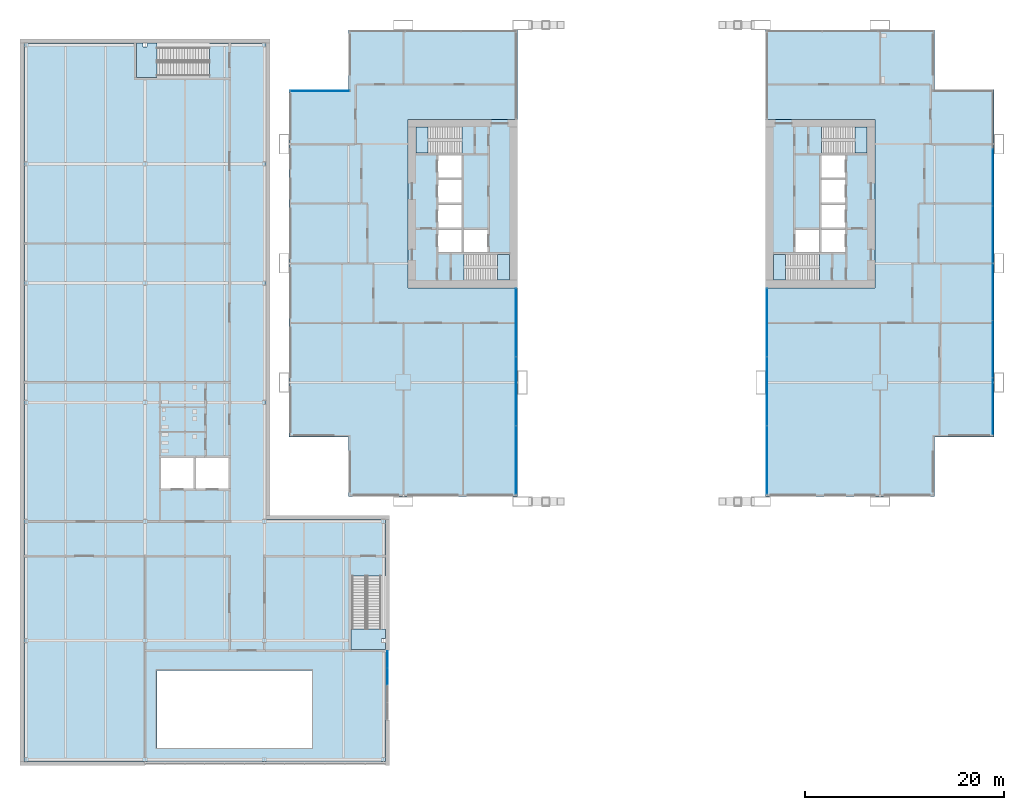
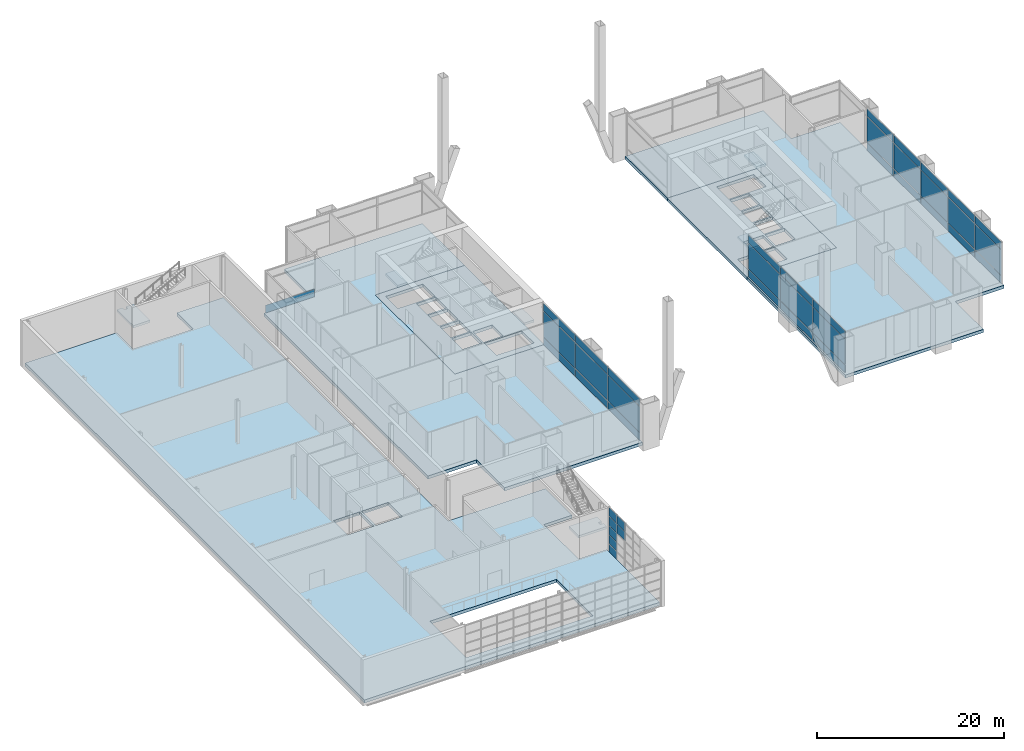
# One storey, part 19 of 30: 41 plates, 11 slabs, 11 elements without a shape of their own.
"""IFC4 building model written with IfcOpenShell, lengths in metres."""

from ifc_helpers import new_model, si_unit, direction, frame, origin, origin_2d, place, context, subcontext, project, spatial, polyline, rectangle, outline, extrude, material, layer, layer_set, type_object, element, aggregate, save


model = new_model("IFC4")

# Units and contexts
model_context = context("Model", 3, precision=1e-05, world=origin(), true_north=direction((0.0, 1.0)))
body_context = subcontext(model_context, "Body", "Model", "MODEL_VIEW")
ifc_project = project(units=[si_unit("LENGTHUNIT", "METRE"), si_unit("AREAUNIT", "SQUARE_METRE"), si_unit("VOLUMEUNIT", "CUBIC_METRE"), si_unit("PLANEANGLEUNIT", "RADIAN"), si_unit("MASSUNIT", "GRAM", prefix="KILO")], contexts=[model_context])

# Site, building, storey
site_placement = place(None, origin())
site = spatial("IfcSite", under=ifc_project, at=site_placement, CompositionType="ELEMENT")
building_placement = place(site_placement, origin())
building = spatial("IfcBuilding", under=site, at=building_placement, Name="Kitamizu Gate Tower and Museum", CompositionType="ELEMENT")
storey_placement = place(building_placement, frame((0.0, 0.0, 6.0)))
storey = spatial("IfcBuildingStorey", under=building, at=storey_placement, Name="L01", CompositionType="ELEMENT", Elevation=6.0)

# Slabs
ifc_material_1 = material(Name="Concrete Fc36", Category="concrete")
ifc_layer_1 = layer(ifc_material_1, 0.39990234375)
ifc_layer_set_1 = layer_set([ifc_layer_1], Name="Concrete Fc36")
slab_type_1 = type_object("IfcSlabType", Name="Core floor slab 400", PredefinedType="FLOOR", material=ifc_layer_set_1)
slab_1_placement = place(storey_placement, frame((0.0, 0.0, -0.39990234375)))
element("IfcSlab", 1, at=slab_1_placement, inside=storey, type_object=slab_type_1, Name="Core floor slab W", PredefinedType="FLOOR", context=body_context, shape_type="SweptSolid", body=[
    extrude(outline(polyline([(12.5, 21.5), (23.5, 21.5), (23.5, 38.5), (12.5, 38.5), (12.5, 21.5)]), holes=[polyline([(15.5, 25.10009765625), (17.89990234375, 25.10009765625), (17.89990234375, 27.39990234375), (15.5, 27.39990234375), (15.5, 25.10009765625)]), polyline([(15.5, 27.60009765625), (17.89990234375, 27.60009765625), (17.89990234375, 29.89990234375), (15.5, 29.89990234375), (15.5, 27.60009765625)]), polyline([(15.5, 30.10009765625), (17.89990234375, 30.10009765625), (17.89990234375, 32.39990234375), (15.5, 32.39990234375), (15.5, 30.10009765625)]), polyline([(15.5, 32.60009765625), (17.89990234375, 32.60009765625), (17.89990234375, 34.89990234375), (15.5, 34.89990234375), (15.5, 32.60009765625)]), polyline([(18.10009765625, 25.10009765625), (20.5, 25.10009765625), (20.5, 27.39990234375), (18.10009765625, 27.39990234375), (18.10009765625, 25.10009765625)]), polyline([(18.1005859375, 22.300048828125), (22.699951171875, 22.300048828125), (22.699951171875, 24.89990234375), (18.1005859375, 24.89990234375), (18.1005859375, 22.300048828125)]), polyline([(13.300048828125, 35.10009765625), (17.8994140625, 35.10009765625), (17.8994140625, 37.699951171875), (13.300048828125, 37.699951171875), (13.300048828125, 35.10009765625)])]), origin(), (0.0, 0.0, 1.0), 0.39990234375),
])
slab_2_placement = place(storey_placement, frame((0.0, 0.0, -0.39990234375)))
element("IfcSlab", 2, at=slab_2_placement, inside=storey, type_object=slab_type_1, Name="Core floor slab E", PredefinedType="FLOOR", context=body_context, shape_type="SweptSolid", body=[
    extrude(outline(polyline([(48.5, 21.5), (59.5, 21.5), (59.5, 38.5), (48.5, 38.5), (48.5, 21.5)]), holes=[polyline([(54.10009765625, 25.10009765625), (56.5, 25.10009765625), (56.5, 27.39990234375), (54.10009765625, 27.39990234375), (54.10009765625, 25.10009765625)]), polyline([(54.10009765625, 27.60009765625), (56.5, 27.60009765625), (56.5, 29.89990234375), (54.10009765625, 29.89990234375), (54.10009765625, 27.60009765625)]), polyline([(54.10009765625, 30.10009765625), (56.5, 30.10009765625), (56.5, 32.39990234375), (54.10009765625, 32.39990234375), (54.10009765625, 30.10009765625)]), polyline([(54.10009765625, 32.60009765625), (56.5, 32.60009765625), (56.5, 34.89990234375), (54.10009765625, 34.89990234375), (54.10009765625, 32.60009765625)]), polyline([(51.5, 25.10009765625), (53.89990234375, 25.10009765625), (53.89990234375, 27.39990234375), (51.5, 27.39990234375), (51.5, 25.10009765625)]), polyline([(49.300048828125, 22.300048828125), (53.8994140625, 22.300048828125), (53.8994140625, 24.89990234375), (49.300048828125, 24.89990234375), (49.300048828125, 22.300048828125)]), polyline([(54.1005859375, 35.10009765625), (58.699951171875, 35.10009765625), (58.699951171875, 37.699951171875), (54.1005859375, 37.699951171875), (54.1005859375, 35.10009765625)])]), origin(), (0.0, 0.0, 1.0), 0.39990234375),
])

# Curtain wall, plate
ifc_material_2 = material(Name="Bronze anodised aluminium frame, tinted triple glazing", Category="aluminium")
curtain_wall_type_1 = type_object("IfcCurtainWallType", Name="CURTAIN WALL TYPE E PODIUM PLAZA", PredefinedType="NOTDEFINED", material=ifc_material_2)
curtain_wall_1_placement = place(storey_placement, origin())
curtain_wall_1 = element("IfcCurtainWall", 3, at=curtain_wall_1_placement, inside=storey, type_object=curtain_wall_type_1, Name="Curtain wall CW-E north L01", PredefinedType="NOTDEFINED")
ifc_material_3 = material(Name="Tinted insulating glass", Category="glass")
ifc_layer_2 = layer(ifc_material_3, 0.033935546875)
ifc_layer_set_2 = layer_set([ifc_layer_2], Name="Tinted insulating glass")
plate_type_1 = type_object("IfcPlateType", Name="GLASS PANEL 34 TYPE E", PredefinedType="CURTAIN_PANEL", material=ifc_layer_set_2)
plate_1_placement = place(storey_placement, frame((3.635009765625, 41.364990234375, 0.06982421875), z_axis=(0.0, 0.0, 1.0), x_axis=(1.0, 0.0, 0.0)))
plate_1 = element("IfcPlate", 4, at=plate_1_placement, type_object=plate_type_1, Name="CW-E panel 1.1", PredefinedType="CURTAIN_PANEL", context=body_context, shape_type="SweptSolid", body=[
    extrude(rectangle(XDim=5.989990234375, YDim=0.033935546875, at=origin_2d()), origin(), (0.0, 0.0, 1.0), 0.9951171875),
])
aggregate(curtain_wall_1, [plate_1])

# Curtain wall, plates
ifc_material_4 = material(Name="Bronze anodised aluminium frame, tinted triple glazing", Category="aluminium")
curtain_wall_type_2 = type_object("IfcCurtainWallType", Name="CURTAIN WALL TYPE A PODIUM", PredefinedType="NOTDEFINED", material=ifc_material_4)
curtain_wall_2_placement = place(storey_placement, origin())
curtain_wall_2 = element("IfcCurtainWall", 5, at=curtain_wall_2_placement, inside=storey, type_object=curtain_wall_type_2, Name="Curtain wall CW-A east L01", PredefinedType="NOTDEFINED")
ifc_material_5 = material(Name="Tinted insulating glass", Category="glass")
ifc_layer_3 = layer(ifc_material_5, 0.035888671875)
ifc_layer_set_3 = layer_set([ifc_layer_3], Name="Tinted insulating glass")
plate_type_2 = type_object("IfcPlateType", Name="GLASS PANEL 36 TYPE A", PredefinedType="CURTAIN_PANEL", material=ifc_layer_set_3)
plate_2_placement = place(storey_placement, frame((23.364990234375, 4.197509765625, 0.080078125), z_axis=(0.0, 0.0, 1.0), x_axis=(0.0, 1.0, 0.0)))
plate_2 = element("IfcPlate", 6, at=plate_2_placement, type_object=plate_type_2, Name="CW-A panel 1.1", PredefinedType="CURTAIN_PANEL", context=body_context, shape_type="SweptSolid", body=[
    extrude(rectangle(XDim=6.794921875, YDim=0.035888671875, at=origin_2d()), origin(), (0.0, 0.0, 1.0), 0.97998046875),
])
plate_3_placement = place(storey_placement, frame((23.364990234375, 4.197509765625, 1.14013671875), z_axis=(0.0, 0.0, 1.0), x_axis=(0.0, 1.0, 0.0)))
plate_3 = element("IfcPlate", 7, at=plate_3_placement, type_object=plate_type_2, Name="CW-A panel 1.2", PredefinedType="CURTAIN_PANEL", context=body_context, shape_type="SweptSolid", body=[
    extrude(rectangle(XDim=6.794921875, YDim=0.035888671875, at=origin_2d()), origin(), (0.0, 0.0, 1.0), 3.320068359375),
])
plate_4_placement = place(storey_placement, frame((23.364990234375, 4.197509765625, 4.5400390625), z_axis=(0.0, 0.0, 1.0), x_axis=(0.0, 1.0, 0.0)))
plate_4 = element("IfcPlate", 8, at=plate_4_placement, type_object=plate_type_2, Name="CW-A panel 1.3", PredefinedType="CURTAIN_PANEL", context=body_context, shape_type="SweptSolid", body=[
    extrude(rectangle(XDim=6.794921875, YDim=0.035888671875, at=origin_2d()), origin(), (0.0, 0.0, 1.0), 0.97998046875),
])
plate_5_placement = place(storey_placement, frame((23.364990234375, 11.10498046875, 0.080078125), z_axis=(0.0, 0.0, 1.0), x_axis=(0.0, 1.0, 0.0)))
plate_5 = element("IfcPlate", 9, at=plate_5_placement, type_object=plate_type_2, Name="CW-A panel 2.1", PredefinedType="CURTAIN_PANEL", context=body_context, shape_type="SweptSolid", body=[
    extrude(rectangle(XDim=6.840087890625, YDim=0.035888671875, at=origin_2d()), origin(), (0.0, 0.0, 1.0), 0.97998046875),
])
plate_6_placement = place(storey_placement, frame((23.364990234375, 11.10498046875, 1.14013671875), z_axis=(0.0, 0.0, 1.0), x_axis=(0.0, 1.0, 0.0)))
plate_6 = element("IfcPlate", 10, at=plate_6_placement, type_object=plate_type_2, Name="CW-A panel 2.2", PredefinedType="CURTAIN_PANEL", context=body_context, shape_type="SweptSolid", body=[
    extrude(rectangle(XDim=6.840087890625, YDim=0.035888671875, at=origin_2d()), origin(), (0.0, 0.0, 1.0), 3.320068359375),
])
plate_7_placement = place(storey_placement, frame((23.364990234375, 11.10498046875, 4.5400390625), z_axis=(0.0, 0.0, 1.0), x_axis=(0.0, 1.0, 0.0)))
plate_7 = element("IfcPlate", 11, at=plate_7_placement, type_object=plate_type_2, Name="CW-A panel 2.3", PredefinedType="CURTAIN_PANEL", context=body_context, shape_type="SweptSolid", body=[
    extrude(rectangle(XDim=6.840087890625, YDim=0.035888671875, at=origin_2d()), origin(), (0.0, 0.0, 1.0), 0.97998046875),
])
plate_8_placement = place(storey_placement, frame((23.364990234375, 18.012451171875, 0.080078125), z_axis=(0.0, 0.0, 1.0), x_axis=(0.0, 1.0, 0.0)))
plate_8 = element("IfcPlate", 12, at=plate_8_placement, type_object=plate_type_2, Name="CW-A panel 3.1", PredefinedType="CURTAIN_PANEL", context=body_context, shape_type="SweptSolid", body=[
    extrude(rectangle(XDim=6.794921875, YDim=0.035888671875, at=origin_2d()), origin(), (0.0, 0.0, 1.0), 0.97998046875),
])
plate_9_placement = place(storey_placement, frame((23.364990234375, 18.012451171875, 1.14013671875), z_axis=(0.0, 0.0, 1.0), x_axis=(0.0, 1.0, 0.0)))
plate_9 = element("IfcPlate", 13, at=plate_9_placement, type_object=plate_type_2, Name="CW-A panel 3.2", PredefinedType="CURTAIN_PANEL", context=body_context, shape_type="SweptSolid", body=[
    extrude(rectangle(XDim=6.794921875, YDim=0.035888671875, at=origin_2d()), origin(), (0.0, 0.0, 1.0), 3.320068359375),
])
plate_10_placement = place(storey_placement, frame((23.364990234375, 18.012451171875, 4.5400390625), z_axis=(0.0, 0.0, 1.0), x_axis=(0.0, 1.0, 0.0)))
plate_10 = element("IfcPlate", 14, at=plate_10_placement, type_object=plate_type_2, Name="CW-A panel 3.3", PredefinedType="CURTAIN_PANEL", context=body_context, shape_type="SweptSolid", body=[
    extrude(rectangle(XDim=6.794921875, YDim=0.035888671875, at=origin_2d()), origin(), (0.0, 0.0, 1.0), 0.97998046875),
])
aggregate(curtain_wall_2, [plate_2, plate_3, plate_4, plate_5, plate_6, plate_7, plate_8, plate_9, plate_10])

curtain_wall_3_placement = place(storey_placement, origin())
curtain_wall_3 = element("IfcCurtainWall", 15, at=curtain_wall_3_placement, inside=storey, type_object=curtain_wall_type_2, Name="Curtain wall CW-A west L01", PredefinedType="NOTDEFINED")
plate_11_placement = place(storey_placement, frame((48.635009765625, 4.197509765625, 0.080078125), z_axis=(0.0, 0.0, 1.0), x_axis=(0.0, 1.0, 0.0)))
plate_11 = element("IfcPlate", 16, at=plate_11_placement, type_object=plate_type_2, Name="CW-A panel 1.1", PredefinedType="CURTAIN_PANEL", context=body_context, shape_type="SweptSolid", body=[
    extrude(rectangle(XDim=6.794921875, YDim=0.035888671875, at=origin_2d()), origin(), (0.0, 0.0, 1.0), 0.97998046875),
])
plate_12_placement = place(storey_placement, frame((48.635009765625, 4.197509765625, 1.14013671875), z_axis=(0.0, 0.0, 1.0), x_axis=(0.0, 1.0, 0.0)))
plate_12 = element("IfcPlate", 17, at=plate_12_placement, type_object=plate_type_2, Name="CW-A panel 1.2", PredefinedType="CURTAIN_PANEL", context=body_context, shape_type="SweptSolid", body=[
    extrude(rectangle(XDim=6.794921875, YDim=0.035888671875, at=origin_2d()), origin(), (0.0, 0.0, 1.0), 3.320068359375),
])
plate_13_placement = place(storey_placement, frame((48.635009765625, 4.197509765625, 4.5400390625), z_axis=(0.0, 0.0, 1.0), x_axis=(0.0, 1.0, 0.0)))
plate_13 = element("IfcPlate", 18, at=plate_13_placement, type_object=plate_type_2, Name="CW-A panel 1.3", PredefinedType="CURTAIN_PANEL", context=body_context, shape_type="SweptSolid", body=[
    extrude(rectangle(XDim=6.794921875, YDim=0.035888671875, at=origin_2d()), origin(), (0.0, 0.0, 1.0), 0.97998046875),
])
plate_14_placement = place(storey_placement, frame((48.635009765625, 11.10498046875, 0.080078125), z_axis=(0.0, 0.0, 1.0), x_axis=(0.0, 1.0, 0.0)))
plate_14 = element("IfcPlate", 19, at=plate_14_placement, type_object=plate_type_2, Name="CW-A panel 2.1", PredefinedType="CURTAIN_PANEL", context=body_context, shape_type="SweptSolid", body=[
    extrude(rectangle(XDim=6.840087890625, YDim=0.035888671875, at=origin_2d()), origin(), (0.0, 0.0, 1.0), 0.97998046875),
])
plate_15_placement = place(storey_placement, frame((48.635009765625, 11.10498046875, 1.14013671875), z_axis=(0.0, 0.0, 1.0), x_axis=(0.0, 1.0, 0.0)))
plate_15 = element("IfcPlate", 20, at=plate_15_placement, type_object=plate_type_2, Name="CW-A panel 2.2", PredefinedType="CURTAIN_PANEL", context=body_context, shape_type="SweptSolid", body=[
    extrude(rectangle(XDim=6.840087890625, YDim=0.035888671875, at=origin_2d()), origin(), (0.0, 0.0, 1.0), 3.320068359375),
])
plate_16_placement = place(storey_placement, frame((48.635009765625, 11.10498046875, 4.5400390625), z_axis=(0.0, 0.0, 1.0), x_axis=(0.0, 1.0, 0.0)))
plate_16 = element("IfcPlate", 21, at=plate_16_placement, type_object=plate_type_2, Name="CW-A panel 2.3", PredefinedType="CURTAIN_PANEL", context=body_context, shape_type="SweptSolid", body=[
    extrude(rectangle(XDim=6.840087890625, YDim=0.035888671875, at=origin_2d()), origin(), (0.0, 0.0, 1.0), 0.97998046875),
])
plate_17_placement = place(storey_placement, frame((48.635009765625, 18.012451171875, 0.080078125), z_axis=(0.0, 0.0, 1.0), x_axis=(0.0, 1.0, 0.0)))
plate_17 = element("IfcPlate", 22, at=plate_17_placement, type_object=plate_type_2, Name="CW-A panel 3.1", PredefinedType="CURTAIN_PANEL", context=body_context, shape_type="SweptSolid", body=[
    extrude(rectangle(XDim=6.794921875, YDim=0.035888671875, at=origin_2d()), origin(), (0.0, 0.0, 1.0), 0.97998046875),
])
plate_18_placement = place(storey_placement, frame((48.635009765625, 18.012451171875, 1.14013671875), z_axis=(0.0, 0.0, 1.0), x_axis=(0.0, 1.0, 0.0)))
plate_18 = element("IfcPlate", 23, at=plate_18_placement, type_object=plate_type_2, Name="CW-A panel 3.2", PredefinedType="CURTAIN_PANEL", context=body_context, shape_type="SweptSolid", body=[
    extrude(rectangle(XDim=6.794921875, YDim=0.035888671875, at=origin_2d()), origin(), (0.0, 0.0, 1.0), 3.320068359375),
])
plate_19_placement = place(storey_placement, frame((48.635009765625, 18.012451171875, 4.5400390625), z_axis=(0.0, 0.0, 1.0), x_axis=(0.0, 1.0, 0.0)))
plate_19 = element("IfcPlate", 24, at=plate_19_placement, type_object=plate_type_2, Name="CW-A panel 3.3", PredefinedType="CURTAIN_PANEL", context=body_context, shape_type="SweptSolid", body=[
    extrude(rectangle(XDim=6.794921875, YDim=0.035888671875, at=origin_2d()), origin(), (0.0, 0.0, 1.0), 0.97998046875),
])
aggregate(curtain_wall_3, [plate_11, plate_12, plate_13, plate_14, plate_15, plate_16, plate_17, plate_18, plate_19])

curtain_wall_4_placement = place(storey_placement, origin())
curtain_wall_4 = element("IfcCurtainWall", 25, at=curtain_wall_4_placement, inside=storey, type_object=curtain_wall_type_2, Name="Curtain wall CW-A east L01", PredefinedType="NOTDEFINED")
plate_20_placement = place(storey_placement, frame((71.364990234375, 9.6142578125, 0.080078125), z_axis=(0.0, 0.0, 1.0), x_axis=(0.0, 1.0, 0.0)))
plate_20 = element("IfcPlate", 26, at=plate_20_placement, type_object=plate_type_2, Name="CW-A panel 1.1", PredefinedType="CURTAIN_PANEL", context=body_context, shape_type="SweptSolid", body=[
    extrude(rectangle(XDim=5.62841796875, YDim=0.035888671875, at=origin_2d()), origin(), (0.0, 0.0, 1.0), 0.97998046875),
])
plate_21_placement = place(storey_placement, frame((71.364990234375, 9.6142578125, 1.14013671875), z_axis=(0.0, 0.0, 1.0), x_axis=(0.0, 1.0, 0.0)))
plate_21 = element("IfcPlate", 27, at=plate_21_placement, type_object=plate_type_2, Name="CW-A panel 1.2", PredefinedType="CURTAIN_PANEL", context=body_context, shape_type="SweptSolid", body=[
    extrude(rectangle(XDim=5.62841796875, YDim=0.035888671875, at=origin_2d()), origin(), (0.0, 0.0, 1.0), 3.320068359375),
])
plate_22_placement = place(storey_placement, frame((71.364990234375, 9.6142578125, 4.5400390625), z_axis=(0.0, 0.0, 1.0), x_axis=(0.0, 1.0, 0.0)))
plate_22 = element("IfcPlate", 28, at=plate_22_placement, type_object=plate_type_2, Name="CW-A panel 1.3", PredefinedType="CURTAIN_PANEL", context=body_context, shape_type="SweptSolid", body=[
    extrude(rectangle(XDim=5.62841796875, YDim=0.035888671875, at=origin_2d()), origin(), (0.0, 0.0, 1.0), 0.97998046875),
])
plate_23_placement = place(storey_placement, frame((71.364990234375, 15.35498046875, 0.080078125), z_axis=(0.0, 0.0, 1.0), x_axis=(0.0, 1.0, 0.0)))
plate_23 = element("IfcPlate", 29, at=plate_23_placement, type_object=plate_type_2, Name="CW-A panel 2.1", PredefinedType="CURTAIN_PANEL", context=body_context, shape_type="SweptSolid", body=[
    extrude(rectangle(XDim=5.67333984375, YDim=0.035888671875, at=origin_2d()), origin(), (0.0, 0.0, 1.0), 0.97998046875),
])
plate_24_placement = place(storey_placement, frame((71.364990234375, 15.35498046875, 1.14013671875), z_axis=(0.0, 0.0, 1.0), x_axis=(0.0, 1.0, 0.0)))
plate_24 = element("IfcPlate", 30, at=plate_24_placement, type_object=plate_type_2, Name="CW-A panel 2.2", PredefinedType="CURTAIN_PANEL", context=body_context, shape_type="SweptSolid", body=[
    extrude(rectangle(XDim=5.67333984375, YDim=0.035888671875, at=origin_2d()), origin(), (0.0, 0.0, 1.0), 3.320068359375),
])
plate_25_placement = place(storey_placement, frame((71.364990234375, 15.35498046875, 4.5400390625), z_axis=(0.0, 0.0, 1.0), x_axis=(0.0, 1.0, 0.0)))
plate_25 = element("IfcPlate", 31, at=plate_25_placement, type_object=plate_type_2, Name="CW-A panel 2.3", PredefinedType="CURTAIN_PANEL", context=body_context, shape_type="SweptSolid", body=[
    extrude(rectangle(XDim=5.67333984375, YDim=0.035888671875, at=origin_2d()), origin(), (0.0, 0.0, 1.0), 0.97998046875),
])
plate_26_placement = place(storey_placement, frame((71.364990234375, 21.118408203125, 0.080078125), z_axis=(0.0, 0.0, 1.0), x_axis=(0.0, 1.0, 0.0)))
plate_26 = element("IfcPlate", 32, at=plate_26_placement, type_object=plate_type_2, Name="CW-A panel 3.1", PredefinedType="CURTAIN_PANEL", context=body_context, shape_type="SweptSolid", body=[
    extrude(rectangle(XDim=5.67333984375, YDim=0.035888671875, at=origin_2d()), origin(), (0.0, 0.0, 1.0), 0.97998046875),
])
plate_27_placement = place(storey_placement, frame((71.364990234375, 21.118408203125, 1.14013671875), z_axis=(0.0, 0.0, 1.0), x_axis=(0.0, 1.0, 0.0)))
plate_27 = element("IfcPlate", 33, at=plate_27_placement, type_object=plate_type_2, Name="CW-A panel 3.2", PredefinedType="CURTAIN_PANEL", context=body_context, shape_type="SweptSolid", body=[
    extrude(rectangle(XDim=5.67333984375, YDim=0.035888671875, at=origin_2d()), origin(), (0.0, 0.0, 1.0), 3.320068359375),
])
plate_28_placement = place(storey_placement, frame((71.364990234375, 21.118408203125, 4.5400390625), z_axis=(0.0, 0.0, 1.0), x_axis=(0.0, 1.0, 0.0)))
plate_28 = element("IfcPlate", 34, at=plate_28_placement, type_object=plate_type_2, Name="CW-A panel 3.3", PredefinedType="CURTAIN_PANEL", context=body_context, shape_type="SweptSolid", body=[
    extrude(rectangle(XDim=5.67333984375, YDim=0.035888671875, at=origin_2d()), origin(), (0.0, 0.0, 1.0), 0.97998046875),
])
plate_29_placement = place(storey_placement, frame((71.364990234375, 26.881591796875, 0.080078125), z_axis=(0.0, 0.0, 1.0), x_axis=(0.0, 1.0, 0.0)))
plate_29 = element("IfcPlate", 35, at=plate_29_placement, type_object=plate_type_2, Name="CW-A panel 4.1", PredefinedType="CURTAIN_PANEL", context=body_context, shape_type="SweptSolid", body=[
    extrude(rectangle(XDim=5.67333984375, YDim=0.035888671875, at=origin_2d()), origin(), (0.0, 0.0, 1.0), 0.97998046875),
])
plate_30_placement = place(storey_placement, frame((71.364990234375, 26.881591796875, 1.14013671875), z_axis=(0.0, 0.0, 1.0), x_axis=(0.0, 1.0, 0.0)))
plate_30 = element("IfcPlate", 36, at=plate_30_placement, type_object=plate_type_2, Name="CW-A panel 4.2", PredefinedType="CURTAIN_PANEL", context=body_context, shape_type="SweptSolid", body=[
    extrude(rectangle(XDim=5.67333984375, YDim=0.035888671875, at=origin_2d()), origin(), (0.0, 0.0, 1.0), 3.320068359375),
])
plate_31_placement = place(storey_placement, frame((71.364990234375, 26.881591796875, 4.5400390625), z_axis=(0.0, 0.0, 1.0), x_axis=(0.0, 1.0, 0.0)))
plate_31 = element("IfcPlate", 37, at=plate_31_placement, type_object=plate_type_2, Name="CW-A panel 4.3", PredefinedType="CURTAIN_PANEL", context=body_context, shape_type="SweptSolid", body=[
    extrude(rectangle(XDim=5.67333984375, YDim=0.035888671875, at=origin_2d()), origin(), (0.0, 0.0, 1.0), 0.97998046875),
])
plate_32_placement = place(storey_placement, frame((71.364990234375, 32.64501953125, 0.080078125), z_axis=(0.0, 0.0, 1.0), x_axis=(0.0, 1.0, 0.0)))
plate_32 = element("IfcPlate", 38, at=plate_32_placement, type_object=plate_type_2, Name="CW-A panel 5.1", PredefinedType="CURTAIN_PANEL", context=body_context, shape_type="SweptSolid", body=[
    extrude(rectangle(XDim=5.67333984375, YDim=0.035888671875, at=origin_2d()), origin(), (0.0, 0.0, 1.0), 0.97998046875),
])
plate_33_placement = place(storey_placement, frame((71.364990234375, 32.64501953125, 1.14013671875), z_axis=(0.0, 0.0, 1.0), x_axis=(0.0, 1.0, 0.0)))
plate_33 = element("IfcPlate", 39, at=plate_33_placement, type_object=plate_type_2, Name="CW-A panel 5.2", PredefinedType="CURTAIN_PANEL", context=body_context, shape_type="SweptSolid", body=[
    extrude(rectangle(XDim=5.67333984375, YDim=0.035888671875, at=origin_2d()), origin(), (0.0, 0.0, 1.0), 3.320068359375),
])
plate_34_placement = place(storey_placement, frame((71.364990234375, 32.64501953125, 4.5400390625), z_axis=(0.0, 0.0, 1.0), x_axis=(0.0, 1.0, 0.0)))
plate_34 = element("IfcPlate", 40, at=plate_34_placement, type_object=plate_type_2, Name="CW-A panel 5.3", PredefinedType="CURTAIN_PANEL", context=body_context, shape_type="SweptSolid", body=[
    extrude(rectangle(XDim=5.67333984375, YDim=0.035888671875, at=origin_2d()), origin(), (0.0, 0.0, 1.0), 0.97998046875),
])
aggregate(curtain_wall_4, [plate_20, plate_21, plate_22, plate_23, plate_24, plate_25, plate_26, plate_27, plate_28, plate_29, plate_30, plate_31, plate_32, plate_33, plate_34])

# Slab
ifc_material_6 = material(Name="Concrete Fc30", Category="concrete")
ifc_layer_4 = layer(ifc_material_6, 0.39990234375)
ifc_layer_set_4 = layer_set([ifc_layer_4], Name="Concrete Fc30")
slab_type_2 = type_object("IfcSlabType", Name="Museum composite floor slab 400", PredefinedType="FLOOR", material=ifc_layer_set_4)
slab_3_placement = place(storey_placement, frame((0.0, 0.0, -0.39990234375)))
element("IfcSlab", 41, at=slab_3_placement, inside=storey, type_object=slab_type_2, Name="Floor slab L01.1", PredefinedType="FLOOR", context=body_context, shape_type="SweptSolid", body=[
    extrude(outline(polyline([(-14.875, 42.72509765625), (-7.50048828125, 42.72509765625), (-7.50048828125, 46.199951171875), (-1.800048828125, 46.199951171875), (-1.800048828125, -1.800048828125), (10.199951171875, -1.800048828125), (10.199951171875, -7.50048828125), (6.72509765625, -7.50048828125), (6.72509765625, -14.875), (10.199951171875, -14.875), (10.199951171875, -15.0), (10.199951171875, -22.0), (10.199951171875, -26.199951171875), (-14.0, -26.199951171875), (-26.199951171875, -26.199951171875), (-26.199951171875, 46.199951171875), (-14.875, 46.199951171875), (-14.875, 42.72509765625)]), holes=[polyline([(2.800048828125, -24.800048828125), (2.800048828125, -17.0), (-12.800048828125, -17.0), (-12.800048828125, -24.800048828125), (2.800048828125, -24.800048828125)]), polyline([(-8.875, 1.324951171875), (-5.625, 1.324951171875), (-5.625, 4.375), (-8.0, 4.375), (-8.875, 4.375), (-8.875, 1.324951171875)]), polyline([(-12.375, 1.324951171875), (-9.125, 1.324951171875), (-9.125, 4.375), (-12.375, 4.375), (-12.375, 1.324951171875)])]), origin(), (0.0, 0.0, 1.0), 0.39990234375),
])

# Curtain wall, plates
ifc_material_7 = material(Name="Bronze anodised aluminium frame, tinted triple glazing", Category="aluminium")
ifc_layer_5 = layer(ifc_material_7, 0.39990234375)
ifc_layer_set_5 = layer_set([ifc_layer_5], Name="Bronze anodised aluminium frame, tinted triple glazing")
curtain_wall_type_3 = type_object("IfcCurtainWallType", Name="Museum atrium curtain wall D", PredefinedType="NOTDEFINED", material=ifc_layer_set_5)
curtain_wall_5_placement = place(storey_placement, origin())
curtain_wall_5 = element("IfcCurtainWall", 42, at=curtain_wall_5_placement, inside=storey, type_object=curtain_wall_type_3, Name="Atrium curtain wall Em22mm15", PredefinedType="NOTDEFINED")
ifc_material_8 = material(Name="Tinted insulating glass", Category="glass")
ifc_layer_6 = layer(ifc_material_8, 0.028076171875)
ifc_layer_set_6 = layer_set([ifc_layer_6], Name="Tinted insulating glass")
plate_type_3 = type_object("IfcPlateType", Name="Museum curtain wall glass panel 28", PredefinedType="CURTAIN_PANEL", material=ifc_layer_set_6)
plate_35_placement = place(storey_placement, frame((10.39990234375, -17.625, 3.22998046875), z_axis=(0.0, 0.0, 1.0), x_axis=(0.0, 1.0, 0.0)))
plate_35 = element("IfcPlate", 43, at=plate_35_placement, type_object=plate_type_3, Name="CW-D panel 3.4", PredefinedType="CURTAIN_PANEL", context=body_context, shape_type="SweptSolid", body=[
    extrude(rectangle(XDim=1.68994140625, YDim=0.028076171875, at=origin_2d()), origin(), (0.0, 0.0, 1.0), 1.139892578125),
])
plate_36_placement = place(storey_placement, frame((10.39990234375, -17.625, 4.43017578125), z_axis=(0.0, 0.0, 1.0), x_axis=(0.0, 1.0, 0.0)))
plate_36 = element("IfcPlate", 44, at=plate_36_placement, type_object=plate_type_3, Name="CW-D panel 3.5", PredefinedType="CURTAIN_PANEL", context=body_context, shape_type="SweptSolid", body=[
    extrude(rectangle(XDim=1.68994140625, YDim=0.028076171875, at=origin_2d()), origin(), (0.0, 0.0, 1.0), 1.110107421875),
])
plate_37_placement = place(storey_placement, frame((10.39990234375, -15.889892578125, -0.33984375), z_axis=(0.0, 0.0, 1.0), x_axis=(0.0, 1.0, 0.0)))
plate_37 = element("IfcPlate", 45, at=plate_37_placement, type_object=plate_type_3, Name="CW-D panel 4.1", PredefinedType="CURTAIN_PANEL", context=body_context, shape_type="SweptSolid", body=[
    extrude(rectangle(XDim=1.659912109375, YDim=0.028076171875, at=origin_2d()), origin(), (0.0, 0.0, 1.0), 1.110107421875),
])
plate_38_placement = place(storey_placement, frame((10.39990234375, -15.889892578125, 0.830078125), z_axis=(0.0, 0.0, 1.0), x_axis=(0.0, 1.0, 0.0)))
plate_38 = element("IfcPlate", 46, at=plate_38_placement, type_object=plate_type_3, Name="CW-D panel 4.2", PredefinedType="CURTAIN_PANEL", context=body_context, shape_type="SweptSolid", body=[
    extrude(rectangle(XDim=1.659912109375, YDim=0.028076171875, at=origin_2d()), origin(), (0.0, 0.0, 1.0), 1.139892578125),
])
plate_39_placement = place(storey_placement, frame((10.39990234375, -15.889892578125, 2.0302734375), z_axis=(0.0, 0.0, 1.0), x_axis=(0.0, 1.0, 0.0)))
plate_39 = element("IfcPlate", 47, at=plate_39_placement, type_object=plate_type_3, Name="CW-D panel 4.3", PredefinedType="CURTAIN_PANEL", context=body_context, shape_type="SweptSolid", body=[
    extrude(rectangle(XDim=1.659912109375, YDim=0.028076171875, at=origin_2d()), origin(), (0.0, 0.0, 1.0), 1.139892578125),
])
plate_40_placement = place(storey_placement, frame((10.39990234375, -15.889892578125, 3.22998046875), z_axis=(0.0, 0.0, 1.0), x_axis=(0.0, 1.0, 0.0)))
plate_40 = element("IfcPlate", 48, at=plate_40_placement, type_object=plate_type_3, Name="CW-D panel 4.4", PredefinedType="CURTAIN_PANEL", context=body_context, shape_type="SweptSolid", body=[
    extrude(rectangle(XDim=1.659912109375, YDim=0.028076171875, at=origin_2d()), origin(), (0.0, 0.0, 1.0), 1.139892578125),
])
plate_41_placement = place(storey_placement, frame((10.39990234375, -15.889892578125, 4.43017578125), z_axis=(0.0, 0.0, 1.0), x_axis=(0.0, 1.0, 0.0)))
plate_41 = element("IfcPlate", 49, at=plate_41_placement, type_object=plate_type_3, Name="CW-D panel 4.5", PredefinedType="CURTAIN_PANEL", context=body_context, shape_type="SweptSolid", body=[
    extrude(rectangle(XDim=1.659912109375, YDim=0.028076171875, at=origin_2d()), origin(), (0.0, 0.0, 1.0), 1.110107421875),
])
aggregate(curtain_wall_5, [plate_35, plate_36, plate_37, plate_38, plate_39, plate_40, plate_41])

# Stair, slab
ifc_material_9 = material(Name="Concrete Fc30", Category="concrete")
stair_type_1 = type_object("IfcStairType", Name="Museum stair 40 risers", PredefinedType="HALF_TURN_STAIR", material=ifc_material_9)
stair_1_placement = place(storey_placement, origin())
stair_1 = element("IfcStair", 50, at=stair_1_placement, inside=storey, type_object=stair_type_1, Name="Exit stair S", PredefinedType="HALF_TURN_STAIR")
ifc_material_10 = material(Name="Concrete Fc30", Category="concrete")
ifc_layer_7 = layer(ifc_material_10, 0.300048828125)
ifc_layer_set_7 = layer_set([ifc_layer_7], Name="Concrete Fc30")
slab_type_3 = type_object("IfcSlabType", Name="Museum stair landing 300", PredefinedType="LANDING", material=ifc_layer_set_7)
slab_4_placement = place(storey_placement, frame((0.0, 0.0, 2.699951171875)))
slab_4 = element("IfcSlab", 51, at=slab_4_placement, type_object=slab_type_3, Name="MST1 landing 1", PredefinedType="LANDING", context=body_context, shape_type="SweptSolid", body=[
    extrude(outline(polyline([(10.199951171875, -14.875), (6.72509765625, -14.875), (6.72509765625, -12.820068359375), (10.199951171875, -12.820068359375), (10.199951171875, -13.800048828125), (9.800048828125, -13.800048828125), (9.800048828125, -14.199951171875), (10.199951171875, -14.199951171875), (10.199951171875, -14.875)])), origin(), (0.0, 0.0, 1.0), 0.300048828125),
])
aggregate(stair_1, [slab_4])

stair_2_placement = place(storey_placement, origin())
stair_2 = element("IfcStair", 52, at=stair_2_placement, inside=storey, type_object=stair_type_1, Name="Exit stair N", PredefinedType="HALF_TURN_STAIR")
slab_5_placement = place(storey_placement, frame((0.0, 0.0, 2.699951171875)))
slab_5 = element("IfcSlab", 53, at=slab_5_placement, type_object=slab_type_3, Name="MST2 landing 1", PredefinedType="LANDING", context=body_context, shape_type="SweptSolid", body=[
    extrude(outline(polyline([(-12.820068359375, 46.199951171875), (-12.820068359375, 42.72509765625), (-14.875, 42.72509765625), (-14.875, 46.199951171875), (-14.199951171875, 46.199951171875), (-14.199951171875, 45.800048828125), (-13.800048828125, 45.800048828125), (-13.800048828125, 46.199951171875), (-12.820068359375, 46.199951171875)])), origin(), (0.0, 0.0, 1.0), 0.300048828125),
])
aggregate(stair_2, [slab_5])

# Slabs
ifc_material_11 = material(Name="Concrete Fc36", Category="concrete")
ifc_layer_8 = layer(ifc_material_11, 0.39990234375)
ifc_layer_set_8 = layer_set([ifc_layer_8], Name="Concrete Fc36")
slab_type_4 = type_object("IfcSlabType", Name="Post tensioned flat slab 400", PredefinedType="FLOOR", material=ifc_layer_set_8)
slab_6_placement = place(storey_placement, frame((0.0, 0.0, -0.39990234375)))
element("IfcSlab", 54, at=slab_6_placement, inside=storey, type_object=slab_type_4, Name="Floor slab L01-1", PredefinedType="FLOOR", context=body_context, shape_type="SweptSolid", body=[
    extrude(outline(polyline([(6.5, 47.5), (23.5, 47.5), (23.5, 38.5), (12.5, 38.5), (12.5, 21.5), (23.5, 21.5), (23.5, 0.5), (6.5, 0.5), (6.5, 6.5), (0.5, 6.5), (0.5, 41.5), (6.5, 41.5), (6.5, 47.5)])), origin(), (0.0, 0.0, 1.0), 0.39990234375),
])
slab_7_placement = place(storey_placement, frame((0.0, 0.0, -0.39990234375)))
element("IfcSlab", 55, at=slab_7_placement, inside=storey, type_object=slab_type_4, Name="Floor slab L01-2", PredefinedType="FLOOR", context=body_context, shape_type="SweptSolid", body=[
    extrude(outline(polyline([(71.5, 6.5), (65.5, 6.5), (65.5, 0.5), (48.5, 0.5), (48.5, 21.5), (59.5, 21.5), (59.5, 38.5), (48.5, 38.5), (48.5, 47.5), (65.5, 47.5), (65.5, 41.5), (71.5, 41.5), (71.5, 6.5)])), origin(), (0.0, 0.0, 1.0), 0.39990234375),
])

# Stair, slab
ifc_material_12 = material(Name="Concrete Fc42", Category="concrete")
stair_type_2 = type_object("IfcStairType", Name="Exit stair 1200 wide 200 rise 243 going", PredefinedType="HALF_TURN_STAIR", material=ifc_material_12)
stair_3_placement = place(storey_placement, origin())
stair_3 = element("IfcStair", 56, at=stair_3_placement, inside=storey, type_object=stair_type_2, Name="Exit stair ST1", PredefinedType="HALF_TURN_STAIR")
ifc_material_13 = material(Name="Concrete Fc42", Category="concrete")
ifc_layer_9 = layer(ifc_material_13, 0.300048828125)
ifc_layer_set_9 = layer_set([ifc_layer_9], Name="Concrete Fc42")
slab_type_5 = type_object("IfcSlabType", Name="Stair landing 300", PredefinedType="LANDING", material=ifc_layer_set_9)
slab_8_placement = place(storey_placement, frame((0.0, 0.0, 2.699951171875)))
slab_8 = element("IfcSlab", 57, at=slab_8_placement, type_object=slab_type_5, Name="ST1 landing 1", PredefinedType="LANDING", context=body_context, shape_type="SweptSolid", body=[
    extrude(outline(polyline([(21.5, 22.300048828125), (22.699951171875, 22.300048828125), (22.699951171875, 24.89990234375), (21.5, 24.89990234375), (21.5, 22.300048828125)])), origin(), (0.0, 0.0, 1.0), 0.300048828125),
])
aggregate(stair_3, [slab_8])

stair_4_placement = place(storey_placement, origin())
stair_4 = element("IfcStair", 58, at=stair_4_placement, inside=storey, type_object=stair_type_2, Name="Exit stair ST2", PredefinedType="HALF_TURN_STAIR")
slab_9_placement = place(storey_placement, frame((0.0, 0.0, 2.699951171875)))
slab_9 = element("IfcSlab", 59, at=slab_9_placement, type_object=slab_type_5, Name="ST2 landing 1", PredefinedType="LANDING", context=body_context, shape_type="SweptSolid", body=[
    extrude(outline(polyline([(13.300048828125, 35.10009765625), (14.5, 35.10009765625), (14.5, 37.699951171875), (13.300048828125, 37.699951171875), (13.300048828125, 35.10009765625)])), origin(), (0.0, 0.0, 1.0), 0.300048828125),
])
aggregate(stair_4, [slab_9])

stair_5_placement = place(storey_placement, origin())
stair_5 = element("IfcStair", 60, at=stair_5_placement, inside=storey, type_object=stair_type_2, Name="Exit stair ST3", PredefinedType="HALF_TURN_STAIR")
slab_10_placement = place(storey_placement, frame((0.0, 0.0, 2.699951171875)))
slab_10 = element("IfcSlab", 61, at=slab_10_placement, type_object=slab_type_5, Name="ST3 landing 1", PredefinedType="LANDING", context=body_context, shape_type="SweptSolid", body=[
    extrude(outline(polyline([(49.300048828125, 22.300048828125), (50.5, 22.300048828125), (50.5, 24.89990234375), (49.300048828125, 24.89990234375), (49.300048828125, 22.300048828125)])), origin(), (0.0, 0.0, 1.0), 0.300048828125),
])
aggregate(stair_5, [slab_10])

stair_6_placement = place(storey_placement, origin())
stair_6 = element("IfcStair", 62, at=stair_6_placement, inside=storey, type_object=stair_type_2, Name="Exit stair ST4", PredefinedType="HALF_TURN_STAIR")
slab_11_placement = place(storey_placement, frame((0.0, 0.0, 2.699951171875)))
slab_11 = element("IfcSlab", 63, at=slab_11_placement, type_object=slab_type_5, Name="ST4 landing 1", PredefinedType="LANDING", context=body_context, shape_type="SweptSolid", body=[
    extrude(outline(polyline([(57.5, 35.10009765625), (58.699951171875, 35.10009765625), (58.699951171875, 37.699951171875), (57.5, 37.699951171875), (57.5, 35.10009765625)])), origin(), (0.0, 0.0, 1.0), 0.300048828125),
])
aggregate(stair_6, [slab_11])

save(model, "model.ifc")
